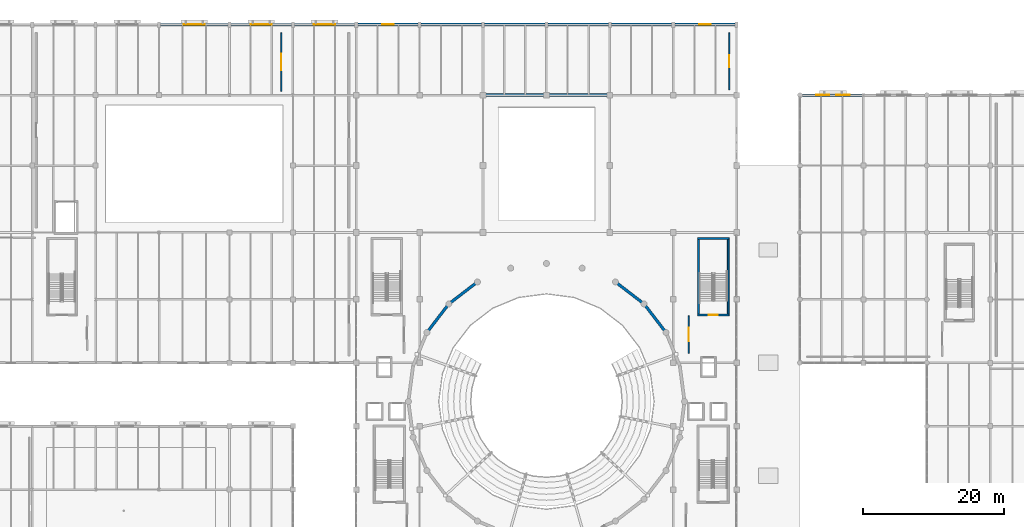
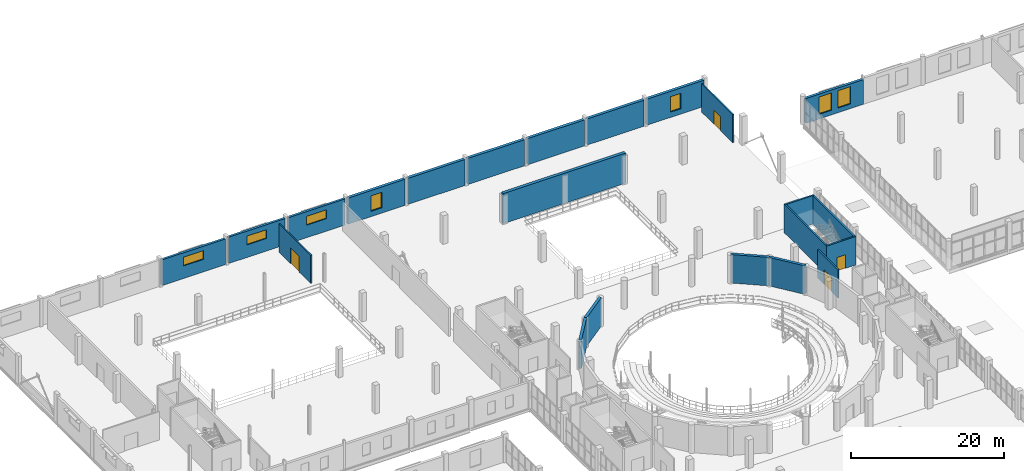
# One storey, part 74 of 93: 22 walls, 7 windows, 4 doors, 11 openings.
"""IFC4 building model written with IfcOpenShell, lengths in metres."""

from ifc_helpers import new_model, si_unit, direction, frame, frame_2d, origin, place, context, subcontext, project, spatial, rectangle, extrude, material, layer, layer_set, type_object, element, fill, save


model = new_model("IFC4")

# Units and contexts
model_context = context("Model", 3, precision=1e-05, world=origin(), true_north=direction((0.0, 1.0)))
body_context = subcontext(model_context, "Body", "Model", "MODEL_VIEW")
ifc_project = project(units=[si_unit("LENGTHUNIT", "METRE"), si_unit("AREAUNIT", "SQUARE_METRE"), si_unit("VOLUMEUNIT", "CUBIC_METRE"), si_unit("PLANEANGLEUNIT", "RADIAN"), si_unit("MASSUNIT", "GRAM", prefix="KILO")], contexts=[model_context])

# Site, building, storey
site_placement = place(None, origin())
site = spatial("IfcSite", under=ifc_project, at=site_placement, CompositionType="ELEMENT")
building_placement = place(site_placement, origin())
building = spatial("IfcBuilding", under=site, at=building_placement, Name="Marnock Terrace Opera House", CompositionType="ELEMENT")
storey_placement = place(building_placement, frame((0.0, 0.0, 5.39990234375)))
storey = spatial("IfcBuildingStorey", under=building, at=storey_placement, Name="L01", CompositionType="ELEMENT", Elevation=5.39990234375)

# Wall, openings, windows
ifc_material_1 = material(Name="Basket Range sandstone ashlar masonry", Category="masonry")
ifc_layer_1 = layer(ifc_material_1, 0.389892578125)
ifc_layer_set_1 = layer_set([ifc_layer_1], Name="Basket Range sandstone ashlar masonry")
wall_type_1 = type_object("IfcWallType", Name="EW-ASHLAR-390", PredefinedType="SOLIDWALL", material=ifc_layer_set_1)
wall_1_placement = place(storey_placement, frame((118.345947265625, 104.0, 0.0), z_axis=(0.0, 0.0, 1.0), x_axis=(1.0, 0.0, 0.0)))
wall_1 = element("IfcWall", 1, at=wall_1_placement, inside=storey, type_object=wall_type_1, Name="L01 Volume 5 north parklands facade 1", PredefinedType="SOLIDWALL", context=body_context, shape_type="SweptSolid", body=[
    extrude(rectangle(XDim=8.654052734375, YDim=0.389892578125, at=frame_2d((4.3271484375, 0.0))), origin(), (0.0, 0.0, 1.0), 3.9384765625),
])
opening_1_placement = place(wall_1_placement, frame((1.934814453125, 0.0, 0.75)))
opening_1 = element("IfcOpeningElement", 2, at=opening_1_placement, cuts=wall_1, Name="Opening WT-25", PredefinedType="OPENING", context=body_context, shape_type="SweptSolid", body=[
    extrude(rectangle(XDim=1.89990234375, YDim=2.75, at=frame_2d((0.949951171875, 1.375))), frame((0.0, 0.204833984375, 0.0), z_axis=(0.0, -1.0, 0.0), x_axis=(1.0, 0.0, 0.0)), (0.0, 0.0, 1.0), 0.409912109375),
])
opening_2_placement = place(wall_1_placement, frame((4.8193359375, 0.0, 0.75)))
opening_2 = element("IfcOpeningElement", 3, at=opening_2_placement, cuts=wall_1, Name="Opening WT-25", PredefinedType="OPENING", context=body_context, shape_type="SweptSolid", body=[
    extrude(rectangle(XDim=1.89990234375, YDim=2.75, at=frame_2d((0.949951171875, 1.375))), frame((0.0, 0.204833984375, 0.0), z_axis=(0.0, -1.0, 0.0), x_axis=(1.0, 0.0, 0.0)), (0.0, 0.0, 1.0), 0.409912109375),
])
ifc_material_2 = material(Name="Double-glazed acoustic low-E laminated glass", Category="glass")
window_type_1 = type_object("IfcWindowType", Name="WT-ARCH-1900", PartitioningType="DOUBLE_PANEL_VERTICAL", PredefinedType="WINDOW", material=ifc_material_2)
window_1_placement = place(opening_1_placement, origin())
window_1 = element("IfcWindow", 4, at=window_1_placement, inside=storey, type_object=window_type_1, Name="L01 facade window EW-V5N-L01-1.1", OverallHeight=2.75, OverallWidth=1.89990234375, PartitioningType="SINGLE_PANEL", PredefinedType="WINDOW", context=body_context, shape_type="SweptSolid", body=[
    extrude(rectangle(XDim=1.89990234375, YDim=2.75, at=frame_2d((0.949951171875, 1.375))), frame((0.0, 0.030029296875, 0.0), z_axis=(0.0, -1.0, 0.0), x_axis=(1.0, 0.0, 0.0)), (0.0, 0.0, 1.0), 0.06005859375),
])
fill(opening_1, window_1)
window_2_placement = place(opening_2_placement, origin())
window_2 = element("IfcWindow", 5, at=window_2_placement, inside=storey, type_object=window_type_1, Name="L01 facade window EW-V5N-L01-1.2", OverallHeight=2.75, OverallWidth=1.89990234375, PartitioningType="SINGLE_PANEL", PredefinedType="WINDOW", context=body_context, shape_type="SweptSolid", body=[
    extrude(rectangle(XDim=1.89990234375, YDim=2.75, at=frame_2d((0.949951171875, 1.375))), frame((0.0, 0.030029296875, 0.0), z_axis=(0.0, -1.0, 0.0), x_axis=(1.0, 0.0, 0.0)), (0.0, 0.0, 1.0), 0.06005859375),
])
fill(opening_2, window_2)

# Wall, opening, window
ifc_layer_2 = layer(ifc_material_1, 0.429931640625)
ifc_layer_set_2 = layer_set([ifc_layer_2], Name="Basket Range sandstone ashlar masonry")
wall_type_2 = type_object("IfcWallType", Name="EW-ASHLAR-430", PredefinedType="SOLIDWALL", material=ifc_layer_set_2)
wall_2_placement = place(storey_placement, frame((55.220947265625, 114.0, 0.0), z_axis=(0.0, 0.0, 1.0), x_axis=(1.0, 0.0, 0.0)))
wall_2 = element("IfcWall", 6, at=wall_2_placement, inside=storey, type_object=wall_type_2, Name="L01 Stage House north wall 1", PredefinedType="SOLIDWALL", context=body_context, shape_type="SweptSolid", body=[
    extrude(rectangle(XDim=8.55810546875, YDim=0.429931640625, at=frame_2d((4.279052734375, 0.0))), origin(), (0.0, 0.0, 1.0), 4.151611328125),
])
opening_3_placement = place(wall_2_placement, frame((3.47900390625, 0.0, 0.85009765625)))
opening_3 = element("IfcOpeningElement", 7, at=opening_3_placement, cuts=wall_2, Name="Opening WT-92", PredefinedType="OPENING", context=body_context, shape_type="SweptSolid", body=[
    extrude(rectangle(XDim=1.60009765625, YDim=2.449951171875, at=frame_2d((0.800048828125, 1.22509765625))), frame((0.0, 0.224853515625, 0.0), z_axis=(0.0, -1.0, 0.0), x_axis=(1.0, 0.0, 0.0)), (0.0, 0.0, 1.0), 0.449951171875),
])
window_type_2 = type_object("IfcWindowType", Name="WT-PIER-1600", PartitioningType="SINGLE_PANEL", PredefinedType="WINDOW", material=ifc_material_2)
window_3_placement = place(opening_3_placement, origin())
window_3 = element("IfcWindow", 8, at=window_3_placement, inside=storey, type_object=window_type_2, Name="L01 facade window EW-V2N-L01-1.1", OverallHeight=2.449951171875, OverallWidth=1.60009765625, PartitioningType="SINGLE_PANEL", PredefinedType="WINDOW", context=body_context, shape_type="SweptSolid", body=[
    extrude(rectangle(XDim=1.60009765625, YDim=2.449951171875, at=frame_2d((0.800048828125, 1.22509765625))), frame((0.0, 0.030029296875, 0.0), z_axis=(0.0, -1.0, 0.0), x_axis=(1.0, 0.0, 0.0)), (0.0, 0.0, 1.0), 0.06005859375),
])
fill(opening_3, window_3)

# Walls
for number, where, z_axis, x_axis, name in (
    (9, (64.220947265625, 114.0, 0.0), (0.0, 0.0, 1.0), (1.0, 0.0, 0.0), "L01 Stage House north wall 2"),
    (10, (73.220947265625, 114.0, 0.0), (0.0, 0.0, 1.0), (1.0, 0.0, 0.0), "L01 Stage House north wall 3"),
    (11, (82.220947265625, 114.0, 0.0), (0.0, 0.0, 1.0), (1.0, 0.0, 0.0), "L01 Stage House north wall 4"),
    (12, (91.220947265625, 114.0, 0.0), (0.0, 0.0, 1.0), (1.0, 0.0, 0.0), "L01 Stage House north wall 5"),
):
    element("IfcWall", number, at=place(storey_placement, frame(where, z_axis=z_axis, x_axis=x_axis)), inside=storey, type_object=wall_type_2, Name=name, PredefinedType="SOLIDWALL", context=body_context, shape_type="SweptSolid", body=[
        extrude(rectangle(XDim=8.55810546875, YDim=0.429931640625, at=frame_2d((4.279052734375, 0.0))), origin(), (0.0, 0.0, 1.0), 4.151611328125),
    ])

# Wall, opening, window
wall_3_placement = place(storey_placement, frame((100.220947265625, 114.0, 0.0), z_axis=(0.0, 0.0, 1.0), x_axis=(1.0, 0.0, 0.0)))
wall_3 = element("IfcWall", 13, at=wall_3_placement, inside=storey, type_object=wall_type_2, Name="L01 Stage House north wall 6", PredefinedType="SOLIDWALL", context=body_context, shape_type="SweptSolid", body=[
    extrude(rectangle(XDim=8.55810546875, YDim=0.429931640625, at=frame_2d((4.279052734375, 0.0))), origin(), (0.0, 0.0, 1.0), 4.151611328125),
])
opening_4_placement = place(wall_3_placement, frame((3.47900390625, 0.0, 0.85009765625)))
opening_4 = element("IfcOpeningElement", 14, at=opening_4_placement, cuts=wall_3, Name="Opening WT-92", PredefinedType="OPENING", context=body_context, shape_type="SweptSolid", body=[
    extrude(rectangle(XDim=1.60009765625, YDim=2.449951171875, at=frame_2d((0.800048828125, 1.22509765625))), frame((0.0, 0.224853515625, 0.0), z_axis=(0.0, -1.0, 0.0), x_axis=(1.0, 0.0, 0.0)), (0.0, 0.0, 1.0), 0.449951171875),
])
window_4_placement = place(opening_4_placement, origin())
window_4 = element("IfcWindow", 15, at=window_4_placement, inside=storey, type_object=window_type_2, Name="L01 facade window EW-V2N-L01-6.1", OverallHeight=2.449951171875, OverallWidth=1.60009765625, PartitioningType="SINGLE_PANEL", PredefinedType="WINDOW", context=body_context, shape_type="SweptSolid", body=[
    extrude(rectangle(XDim=1.60009765625, YDim=2.449951171875, at=frame_2d((0.800048828125, 1.22509765625))), frame((0.0, 0.030029296875, 0.0), z_axis=(0.0, -1.0, 0.0), x_axis=(1.0, 0.0, 0.0)), (0.0, 0.0, 1.0), 0.06005859375),
])
fill(opening_4, window_4)

ifc_material_3 = material(Name="Carey Gully rusticated stone masonry", Category="masonry")
ifc_layer_3 = layer(ifc_material_3, 0.340087890625)
ifc_layer_set_3 = layer_set([ifc_layer_3], Name="Carey Gully rusticated stone masonry")
wall_type_3 = type_object("IfcWallType", Name="EW-WORK-340", PredefinedType="SOLIDWALL", material=ifc_layer_set_3)
wall_4_placement = place(storey_placement, frame((27.220947265625, 114.0, 0.0), z_axis=(0.0, 0.0, 1.0), x_axis=(1.0, 0.0, 0.0)))
wall_4 = element("IfcWall", 16, at=wall_4_placement, inside=storey, type_object=wall_type_3, Name="L01 Workshops north facade wall 4", PredefinedType="SOLIDWALL", context=body_context, shape_type="SweptSolid", body=[
    extrude(rectangle(XDim=9.55810546875, YDim=0.340087890625, at=frame_2d((4.779052734375, 0.0))), origin(), (0.0, 0.0, 1.0), 4.089599609375),
])
opening_5_placement = place(wall_4_placement, frame((3.279052734375, 0.0, 2.0)))
opening_5 = element("IfcOpeningElement", 17, at=opening_5_placement, cuts=wall_4, Name="Opening WT-79", PredefinedType="OPENING", context=body_context, shape_type="SweptSolid", body=[
    extrude(rectangle(XDim=3.0, YDim=1.39990234375, at=frame_2d((1.5, 0.699951171875))), frame((0.0, 0.179931640625, 0.0), z_axis=(0.0, -1.0, 0.0), x_axis=(1.0, 0.0, 0.0)), (0.0, 0.0, 1.0), 0.360107421875),
])
window_type_3 = type_object("IfcWindowType", Name="WT-CLERESTORY-3000", PartitioningType="TRIPLE_PANEL_VERTICAL", PredefinedType="WINDOW", material=ifc_material_2)
window_5_placement = place(opening_5_placement, origin())
window_5 = element("IfcWindow", 18, at=window_5_placement, inside=storey, type_object=window_type_3, Name="L01 facade window EW-V4N-L01-4.1", OverallHeight=1.39990234375, OverallWidth=3.0, PartitioningType="SINGLE_PANEL", PredefinedType="WINDOW", context=body_context, shape_type="SweptSolid", body=[
    extrude(rectangle(XDim=3.0, YDim=1.39990234375, at=frame_2d((1.5, 0.699951171875))), frame((0.0, 0.030029296875, 0.0), z_axis=(0.0, -1.0, 0.0), x_axis=(1.0, 0.0, 0.0)), (0.0, 0.0, 1.0), 0.06005859375),
])
fill(opening_5, window_5)

wall_5_placement = place(storey_placement, frame((37.220947265625, 114.0, 0.0), z_axis=(0.0, 0.0, 1.0), x_axis=(1.0, 0.0, 0.0)))
wall_5 = element("IfcWall", 19, at=wall_5_placement, inside=storey, type_object=wall_type_3, Name="L01 Workshops north facade wall 5", PredefinedType="SOLIDWALL", context=body_context, shape_type="SweptSolid", body=[
    extrude(rectangle(XDim=8.55810546875, YDim=0.340087890625, at=frame_2d((4.279052734375, 0.0))), origin(), (0.0, 0.0, 1.0), 4.19140625),
])
opening_6_placement = place(wall_5_placement, frame((2.779052734375, 0.0, 2.0)))
opening_6 = element("IfcOpeningElement", 20, at=opening_6_placement, cuts=wall_5, Name="Opening WT-79", PredefinedType="OPENING", context=body_context, shape_type="SweptSolid", body=[
    extrude(rectangle(XDim=3.0, YDim=1.39990234375, at=frame_2d((1.5, 0.699951171875))), frame((0.0, 0.179931640625, 0.0), z_axis=(0.0, -1.0, 0.0), x_axis=(1.0, 0.0, 0.0)), (0.0, 0.0, 1.0), 0.360107421875),
])
window_6_placement = place(opening_6_placement, origin())
window_6 = element("IfcWindow", 21, at=window_6_placement, inside=storey, type_object=window_type_3, Name="L01 facade window EW-V4N-L01-5.1", OverallHeight=1.39990234375, OverallWidth=3.0, PartitioningType="SINGLE_PANEL", PredefinedType="WINDOW", context=body_context, shape_type="SweptSolid", body=[
    extrude(rectangle(XDim=3.0, YDim=1.39990234375, at=frame_2d((1.5, 0.699951171875))), frame((0.0, 0.030029296875, 0.0), z_axis=(0.0, -1.0, 0.0), x_axis=(1.0, 0.0, 0.0)), (0.0, 0.0, 1.0), 0.06005859375),
])
fill(opening_6, window_6)

wall_6_placement = place(storey_placement, frame((46.220947265625, 114.0, 0.0), z_axis=(0.0, 0.0, 1.0), x_axis=(1.0, 0.0, 0.0)))
wall_6 = element("IfcWall", 22, at=wall_6_placement, inside=storey, type_object=wall_type_3, Name="L01 Workshops north facade wall 6", PredefinedType="SOLIDWALL", context=body_context, shape_type="SweptSolid", body=[
    extrude(rectangle(XDim=8.55810546875, YDim=0.340087890625, at=frame_2d((4.279052734375, 0.0))), origin(), (0.0, 0.0, 1.0), 4.151611328125),
])
opening_7_placement = place(wall_6_placement, frame((2.779052734375, 0.0, 2.0)))
opening_7 = element("IfcOpeningElement", 23, at=opening_7_placement, cuts=wall_6, Name="Opening WT-79", PredefinedType="OPENING", context=body_context, shape_type="SweptSolid", body=[
    extrude(rectangle(XDim=3.0, YDim=1.39990234375, at=frame_2d((1.5, 0.699951171875))), frame((0.0, 0.179931640625, 0.0), z_axis=(0.0, -1.0, 0.0), x_axis=(1.0, 0.0, 0.0)), (0.0, 0.0, 1.0), 0.360107421875),
])
window_7_placement = place(opening_7_placement, origin())
window_7 = element("IfcWindow", 24, at=window_7_placement, inside=storey, type_object=window_type_3, Name="L01 facade window EW-V4N-L01-6.1", OverallHeight=1.39990234375, OverallWidth=3.0, PartitioningType="SINGLE_PANEL", PredefinedType="WINDOW", context=body_context, shape_type="SweptSolid", body=[
    extrude(rectangle(XDim=3.0, YDim=1.39990234375, at=frame_2d((1.5, 0.699951171875))), frame((0.0, 0.030029296875, 0.0), z_axis=(0.0, -1.0, 0.0), x_axis=(1.0, 0.0, 0.0)), (0.0, 0.0, 1.0), 0.06005859375),
])
fill(opening_7, window_7)

# Wall, opening, door
ifc_material_4 = material(Name="Rendered acoustic concrete blockwork", Category="masonry")
ifc_layer_4 = layer(ifc_material_4, 0.195068359375)
ifc_layer_set_4 = layer_set([ifc_layer_4], Name="Rendered acoustic concrete blockwork")
wall_type_4 = type_object("IfcWallType", Name="IW-FIRE-195", PredefinedType="PARTITIONING", material=ifc_layer_set_4)
wall_7_placement = place(storey_placement, frame((102.199951171875, 67.35009765625, 0.0), z_axis=(0.0, 0.0, 1.0), x_axis=(0.0, 1.0, 0.0)))
wall_7 = element("IfcWall", 25, at=wall_7_placement, inside=storey, type_object=wall_type_4, Name="L01 C4 fire-rated lift and stair lobby wall", PredefinedType="PARTITIONING", context=body_context, shape_type="SweptSolid", body=[
    extrude(rectangle(XDim=5.2998046875, YDim=0.195068359375, at=frame_2d((2.64990234375, 0.0))), origin(), (0.0, 0.0, 1.0), 4.489990234375),
])
opening_8_placement = place(wall_7_placement, frame((1.699951171875, 0.0, 0.0)))
opening_8 = element("IfcOpeningElement", 26, at=opening_8_placement, cuts=wall_7, Name="Opening FD-C4-L01", PredefinedType="OPENING", context=body_context, shape_type="SweptSolid", body=[
    extrude(rectangle(XDim=1.89990234375, YDim=2.300048828125, at=frame_2d((0.949951171875, 1.14990234375))), frame((0.0, 0.107421875, 0.0), z_axis=(0.0, -1.0, 0.0), x_axis=(1.0, 0.0, 0.0)), (0.0, 0.0, 1.0), 0.215087890625),
])
ifc_material_5 = material(Name="Fire-rated acoustic timber-core door assembly", Category="wood")
door_type_1 = type_object("IfcDoorType", Name="DT-LOBBY-1900", OperationType="NOTDEFINED", PredefinedType="DOOR", material=ifc_material_5)
door_1_placement = place(opening_8_placement, origin())
door_1 = element("IfcDoor", 27, at=door_1_placement, inside=storey, type_object=door_type_1, Name="L01 C4 lobby self-closing smoke door", OperationType="SINGLE_SWING_RIGHT", OverallHeight=2.300048828125, OverallWidth=1.89990234375, PredefinedType="DOOR", context=body_context, shape_type="SweptSolid", body=[
    extrude(rectangle(XDim=1.89990234375, YDim=2.300048828125, at=frame_2d((0.949951171875, 1.14990234375))), frame((0.0, 0.02490234375, 0.0), z_axis=(0.0, -1.0, 0.0), x_axis=(1.0, 0.0, 0.0)), (0.0, 0.0, 1.0), 0.050048828125),
])
fill(opening_8, door_1)

wall_8_placement = place(storey_placement, frame((107.949951171875, 104.75, 0.0), z_axis=(0.0, 0.0, 1.0), x_axis=(0.0, 1.0, 0.0)))
wall_8 = element("IfcWall", 28, at=wall_8_placement, inside=storey, type_object=wall_type_4, Name="L01 Stage Audio and Dimmer Control Room acoustic partition wall", PredefinedType="PARTITIONING", context=body_context, shape_type="SweptSolid", body=[
    extrude(rectangle(XDim=8.10009765625, YDim=0.195068359375, at=frame_2d((4.050048828125, 0.0))), origin(), (0.0, 0.0, 1.0), 4.489990234375),
])
opening_9_placement = place(wall_8_placement, frame((3.199951171875, 0.0, 0.0)))
opening_9 = element("IfcOpeningElement", 29, at=opening_9_placement, cuts=wall_8, Name="Opening D-L01-09", PredefinedType="OPENING", context=body_context, shape_type="SweptSolid", body=[
    extrude(rectangle(XDim=1.699951171875, YDim=2.25, at=frame_2d((0.85009765625, 1.125))), frame((0.0, 0.107421875, 0.0), z_axis=(0.0, -1.0, 0.0), x_axis=(1.0, 0.0, 0.0)), (0.0, 0.0, 1.0), 0.215087890625),
])
door_type_2 = type_object("IfcDoorType", Name="DT-PLANT-1700", OperationType="NOTDEFINED", PredefinedType="DOOR", material=ifc_material_5)
door_2_placement = place(opening_9_placement, origin())
door_2 = element("IfcDoor", 30, at=door_2_placement, inside=storey, type_object=door_type_2, Name="L01 Stage Audio and Dimmer Control Room entrance door", OperationType="SINGLE_SWING_RIGHT", OverallHeight=2.25, OverallWidth=1.699951171875, PredefinedType="DOOR", context=body_context, shape_type="SweptSolid", body=[
    extrude(rectangle(XDim=1.699951171875, YDim=2.25, at=frame_2d((0.85009765625, 1.125))), frame((0.0, 0.02490234375, 0.0), z_axis=(0.0, -1.0, 0.0), x_axis=(1.0, 0.0, 0.0)), (0.0, 0.0, 1.0), 0.050048828125),
])
fill(opening_9, door_2)

wall_9_placement = place(storey_placement, frame((44.35009765625, 104.550048828125, 0.0), z_axis=(0.0, 0.0, 1.0), x_axis=(0.0, 1.0, 0.0)))
wall_9 = element("IfcWall", 31, at=wall_9_placement, inside=storey, type_object=wall_type_4, Name="L01 Costume Fitting Salon acoustic partition wall", PredefinedType="PARTITIONING", context=body_context, shape_type="SweptSolid", body=[
    extrude(rectangle(XDim=8.300048828125, YDim=0.195068359375, at=frame_2d((4.14990234375, 0.0))), origin(), (0.0, 0.0, 1.0), 4.489990234375),
])
opening_10_placement = place(wall_9_placement, frame((3.0, 0.0, 0.0)))
opening_10 = element("IfcOpeningElement", 32, at=opening_10_placement, cuts=wall_9, Name="Opening D-L01-19", PredefinedType="OPENING", context=body_context, shape_type="SweptSolid", body=[
    extrude(rectangle(XDim=2.300048828125, YDim=2.52001953125, at=frame_2d((1.14990234375, 1.260009765625))), frame((0.0, 0.107421875, 0.0), z_axis=(0.0, -1.0, 0.0), x_axis=(1.0, 0.0, 0.0)), (0.0, 0.0, 1.0), 0.215087890625),
])
door_type_3 = type_object("IfcDoorType", Name="DT-WORK-2300", OperationType="NOTDEFINED", PredefinedType="DOOR", material=ifc_material_5)
door_3_placement = place(opening_10_placement, origin())
door_3 = element("IfcDoor", 33, at=door_3_placement, inside=storey, type_object=door_type_3, Name="L01 Costume Fitting Salon entrance door", OperationType="DOUBLE_DOOR_SINGLE_SWING", OverallHeight=2.52001953125, OverallWidth=2.300048828125, PredefinedType="DOOR", context=body_context, shape_type="SweptSolid", body=[
    extrude(rectangle(XDim=2.300048828125, YDim=2.52001953125, at=frame_2d((1.14990234375, 1.260009765625))), frame((0.0, 0.02490234375, 0.0), z_axis=(0.0, -1.0, 0.0), x_axis=(1.0, 0.0, 0.0)), (0.0, 0.0, 1.0), 0.050048828125),
])
fill(opening_10, door_3)

ifc_material_6 = material(Name="Concrete N40 (f'c = 40 MPa)", Category="concrete")
ifc_layer_5 = layer(ifc_material_6, 0.25)
ifc_layer_set_5 = layer_set([ifc_layer_5], Name="Concrete N40 (f'c = 40 MPa)")
wall_type_5 = type_object("IfcWallType", Name="SW-CORE-250", PredefinedType="SHEAR", material=ifc_layer_set_5)
wall_10_placement = place(storey_placement, frame((103.47509765625, 72.800048828125, 0.0), z_axis=(0.0, 0.0, 1.0), x_axis=(1.0, 0.0, 0.0)))
wall_10 = element("IfcWall", 34, at=wall_10_placement, inside=storey, type_object=wall_type_5, Name="L01 Core C4 FRL 120/120/120 shear wall S", PredefinedType="SHEAR", context=body_context, shape_type="SweptSolid", body=[
    extrude(rectangle(XDim=4.449951171875, YDim=0.25, at=frame_2d((2.22509765625, 0.0))), origin(), (0.0, 0.0, 1.0), 4.5400390625),
])
opening_11_placement = place(wall_10_placement, frame((1.574951171875, 0.0, 0.0)))
opening_11 = element("IfcOpeningElement", 35, at=opening_11_placement, cuts=wall_10, Name="Opening SD-C4-L01", PredefinedType="OPENING", context=body_context, shape_type="SweptSolid", body=[
    extrude(rectangle(XDim=1.300048828125, YDim=2.179931640625, at=frame_2d((0.64990234375, 1.08984375))), frame((0.0, 0.135009765625, 0.0), z_axis=(0.0, -1.0, 0.0), x_axis=(1.0, 0.0, 0.0)), (0.0, 0.0, 1.0), 0.27001953125),
])
door_type_4 = type_object("IfcDoorType", Name="DT-STAIR-1300", OperationType="NOTDEFINED", PredefinedType="DOOR", material=ifc_material_5)
door_4_placement = place(opening_11_placement, origin())
door_4 = element("IfcDoor", 36, at=door_4_placement, inside=storey, type_object=door_type_4, Name="L01 Stair ST-04 fire-isolated exit door", OperationType="SINGLE_SWING_LEFT", OverallHeight=2.179931640625, OverallWidth=1.300048828125, PredefinedType="DOOR", context=body_context, shape_type="SweptSolid", body=[
    extrude(rectangle(XDim=1.300048828125, YDim=2.179931640625, at=frame_2d((0.64990234375, 1.08984375))), frame((0.0, 0.02490234375, 0.0), z_axis=(0.0, -1.0, 0.0), x_axis=(1.0, 0.0, 0.0)), (0.0, 0.0, 1.0), 0.050048828125),
])
fill(opening_11, door_4)

# Walls
wall_11_placement = place(storey_placement, frame((103.47509765625, 83.639892578125, 0.0), z_axis=(0.0, 0.0, 1.0), x_axis=(1.0, 0.0, 0.0)))
element("IfcWall", 37, at=wall_11_placement, inside=storey, type_object=wall_type_5, Name="L01 Core C4 FRL 120/120/120 shear wall N", PredefinedType="SHEAR", context=body_context, shape_type="SweptSolid", body=[
    extrude(rectangle(XDim=4.449951171875, YDim=0.25, at=frame_2d((2.22509765625, 0.0))), origin(), (0.0, 0.0, 1.0), 4.5400390625),
])
for number, where, z_axis, x_axis, name in (
    (38, (103.60009765625, 72.675048828125, 0.0), (0.0, 0.0, 1.0), (0.0, 1.0, 0.0), "L01 Core C4 FRL 120/120/120 shear wall W"),
    (39, (107.800048828125, 72.675048828125, 0.0), (0.0, 0.0, 1.0), (0.0, 1.0, 0.0), "L01 Core C4 FRL 120/120/120 shear wall E"),
):
    element("IfcWall", number, at=place(storey_placement, frame(where, z_axis=z_axis, x_axis=x_axis)), inside=storey, type_object=wall_type_5, Name=name, PredefinedType="SHEAR", context=body_context, shape_type="SweptSolid", body=[
        extrude(rectangle(XDim=11.08984375, YDim=0.25, at=frame_2d((5.544921875, 0.0))), origin(), (0.0, 0.0, 1.0), 4.5400390625),
    ])
ifc_material_7 = material(Name="Concrete N50 (f'c = 50 MPa)", Category="concrete")
ifc_layer_6 = layer(ifc_material_7, 0.39990234375)
ifc_layer_set_6 = layer_set([ifc_layer_6], Name="Concrete N50 (f'c = 50 MPa)")
wall_type_6 = type_object("IfcWallType", Name="SW-DRUM-400", PredefinedType="SHEAR", material=ifc_layer_set_6)
for number, where, z_axis, x_axis, name in (
    (40, (98.97412109375, 70.300048828125, 0.0), (0.0, 0.0, 1.0), (-0.608857194409, 0.793279847731, 0.0), "L01 cylindrical auditorium drum shear wall 3"),
    (41, (95.85888671875, 74.35888671875, 0.0), (0.0, 0.0, 1.0), (-0.793279847731, 0.608857194409, 0.0), "L01 cylindrical auditorium drum shear wall 4"),
    (42, (72.199951171875, 77.47412109375, 0.0), (0.0, 0.0, 1.0), (-0.793279847731, -0.608857194409, 0.0), "L01 cylindrical auditorium drum shear wall 9"),
    (43, (68.14111328125, 74.35888671875, 0.0), (0.0, 0.0, 1.0), (-0.608857194409, -0.793279847731, 0.0), "L01 cylindrical auditorium drum shear wall 10"),
):
    element("IfcWall", number, at=place(storey_placement, frame(where, z_axis=z_axis, x_axis=x_axis)), inside=storey, type_object=wall_type_6, Name=name, PredefinedType="SHEAR", context=body_context, shape_type="SweptSolid", body=[
        extrude(rectangle(XDim=5.116455078125, YDim=0.39990234375, at=frame_2d((2.55810546875, 0.0))), origin(), (0.0, 0.0, 1.0), 4.5400390625),
    ])
ifc_layer_7 = layer(ifc_material_7, 0.449951171875)
ifc_layer_set_7 = layer_set([ifc_layer_7], Name="Concrete N50 (f'c = 50 MPa)")
wall_type_7 = type_object("IfcWallType", Name="SW-FLY-450", PredefinedType="SHEAR", material=ifc_layer_set_7)
wall_12_placement = place(storey_placement, frame((72.77490234375, 104.0, 0.0), z_axis=(0.0, 0.0, 1.0), x_axis=(1.0, 0.0, 0.0)))
element("IfcWall", 44, at=wall_12_placement, inside=storey, type_object=wall_type_7, Name="L01 Fly Tower north shear wall", PredefinedType="SHEAR", context=body_context, shape_type="SweptSolid", body=[
    extrude(rectangle(XDim=18.4501953125, YDim=0.449951171875, at=frame_2d((9.22509765625, 0.0))), origin(), (0.0, 0.0, 1.0), 4.800048828125),
])

save(model, "model.ifc")
